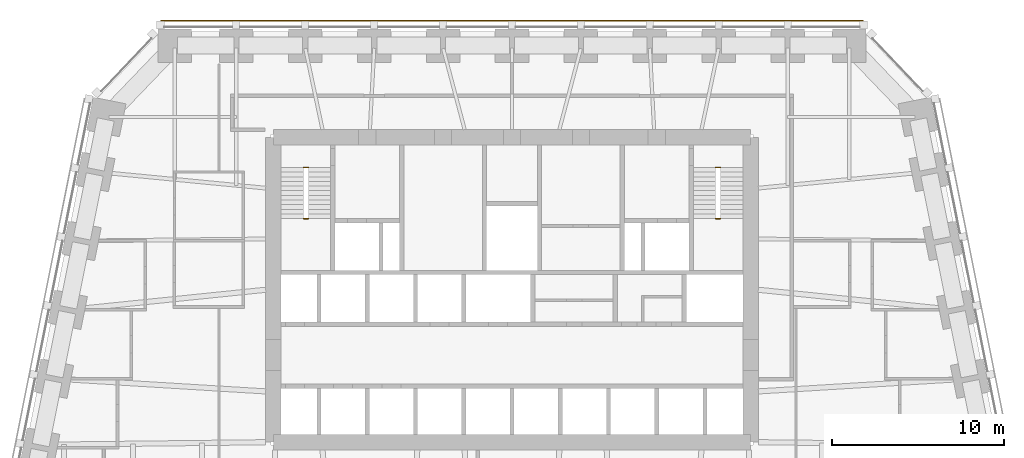
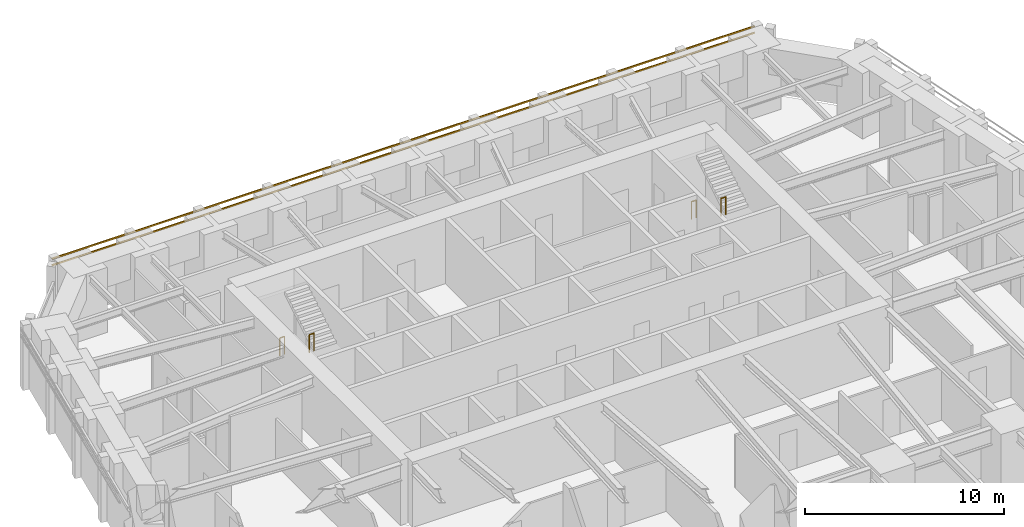
# One storey, part 10 of 10: 4 railings, 2 shading devices.
"""IFC4 building model written with IfcOpenShell, lengths in metres."""

from ifc_helpers import new_model, si_unit, direction, frame, origin, origin_2d, place, context, subcontext, project, spatial, rectangle, circle, extrude, material, material_profile, profile_set, type_object, element, save


model = new_model("IFC4")

# Units and contexts
model_context = context("Model", 3, precision=1e-05, world=origin(), true_north=direction((0.0, 1.0)))
body_context = subcontext(model_context, "Body", "Model", "MODEL_VIEW")
ifc_project = project(units=[si_unit("LENGTHUNIT", "METRE"), si_unit("AREAUNIT", "SQUARE_METRE"), si_unit("VOLUMEUNIT", "CUBIC_METRE"), si_unit("PLANEANGLEUNIT", "RADIAN"), si_unit("MASSUNIT", "GRAM", prefix="KILO")], contexts=[model_context])

# Site, building, storey
site_placement = place(None, origin())
site = spatial("IfcSite", under=ifc_project, at=site_placement, CompositionType="ELEMENT")
building_placement = place(site_placement, origin())
building = spatial("IfcBuilding", under=site, at=building_placement, Name="Isbrekke Arena Tower", CompositionType="ELEMENT")
storey_placement = place(building_placement, frame((0.0, 0.0, 60.0)))
storey = spatial("IfcBuildingStorey", under=building, at=storey_placement, Name="L12", CompositionType="ELEMENT", Elevation=60.0)

# Shading devices
ifc_material_1 = material(Name="Terracotta", Category="masonry")
ifc_material_profile = material_profile(ifc_material_1, rectangle(XDim=0.06005859375, YDim=0.06005859375, at=origin_2d()), Name="BAGUETTE 60X60")
ifc_profile_set = profile_set([ifc_material_profile], Name="Terracotta")
shading_device_type = type_object("IfcShadingDeviceType", Name="BG1 TERRACOTTA BAGUETTE 60 x 60", PredefinedType="USERDEFINED", material=ifc_profile_set)
for number, where, z_axis, x_axis, name in (
    (1, (20.39990234375, 30.6298828125, 3.280029296875), (-1.0, 0.0, 0.0), (0.0, -1.0, 0.0), "BG1 terracotta baguette N1 L12"),
    (2, (20.39990234375, 30.6298828125, 3.679931640625), (-1.0, 0.0, 0.0), (0.0, -1.0, 0.0), "BG1 terracotta baguette N2 L12"),
):
    element("IfcShadingDevice", number, at=place(storey_placement, frame(where, z_axis=z_axis, x_axis=x_axis)), inside=storey, type_object=shading_device_type, Name=name, ObjectType="TERRACOTTA BAGUETTE", PredefinedType="USERDEFINED", context=body_context, shape_type="SweptSolid", body=[
        extrude(rectangle(XDim=0.06005859375, YDim=0.06005859375, at=origin_2d()), origin(), (0.0, 0.0, 1.0), 40.7998046875),
    ])

# Railings
ifc_material_2 = material(Name="Steel stair guard, vertical bars, steel handrail", Category="steel")
railing_type = type_object("IfcRailingType", Name="GR3 STAIR WELL GUARD 1100", PredefinedType="GUARDRAIL", material=ifc_material_2)
for number, where, name in (
    (3, (-12.10009765625, 22.10009765625, 0.0), "GR3 stair well guard ST1 L12"),
    (4, (-12.10009765625, 19.1298828125, 2.0), "GR3 stair well guard ST1 L12"),
    (5, (11.824951171875, 22.10009765625, 0.0), "GR3 stair well guard ST2 L12"),
    (6, (11.824951171875, 19.1298828125, 2.0), "GR3 stair well guard ST2 L12"),
):
    element("IfcRailing", number, at=place(storey_placement, frame(where)), inside=storey, type_object=railing_type, Name=name, PredefinedType="GUARDRAIL", context=body_context, shape_type="SweptSolid", body=[
        extrude(circle(Radius=0.02392578125, at=origin_2d()), frame((0.0, 0.0, 1.076171875), z_axis=(1.0, 0.0, 0.0), x_axis=(0.0, 1.0, 0.0)), (0.0, 0.0, 1.0), 0.275146484375),
        extrude(circle(Radius=0.02099609375, at=origin_2d()), origin(), (0.0, 0.0, 1.0), 1.052001953125),
        extrude(circle(Radius=0.02099609375, at=origin_2d()), frame((0.275146484375, 0.0, 0.0)), (0.0, 0.0, 1.0), 1.052001953125),
    ])

save(model, "model.ifc")
